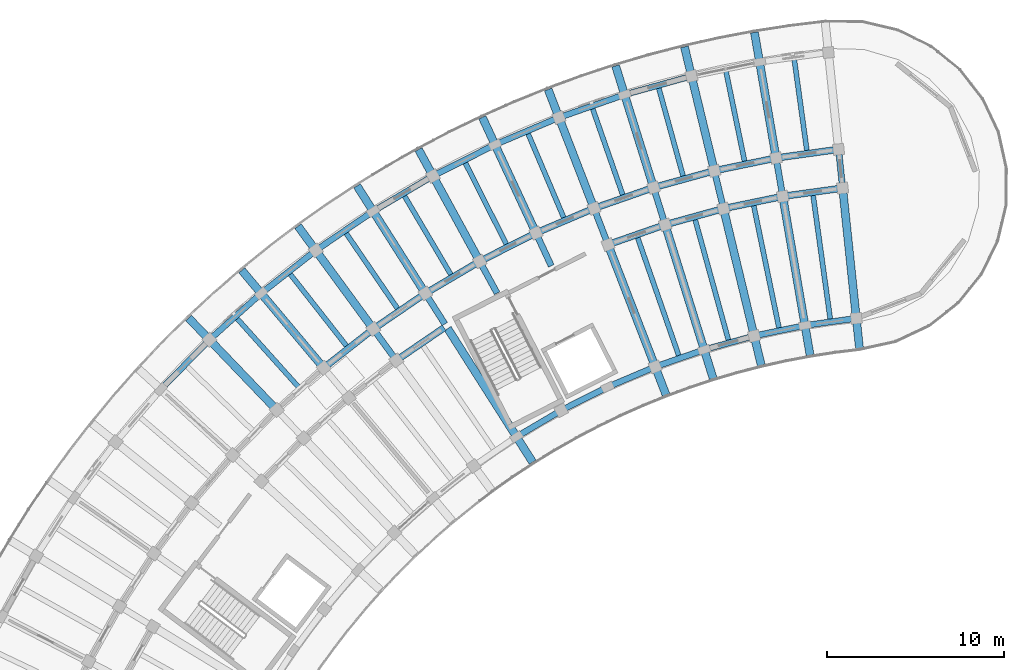
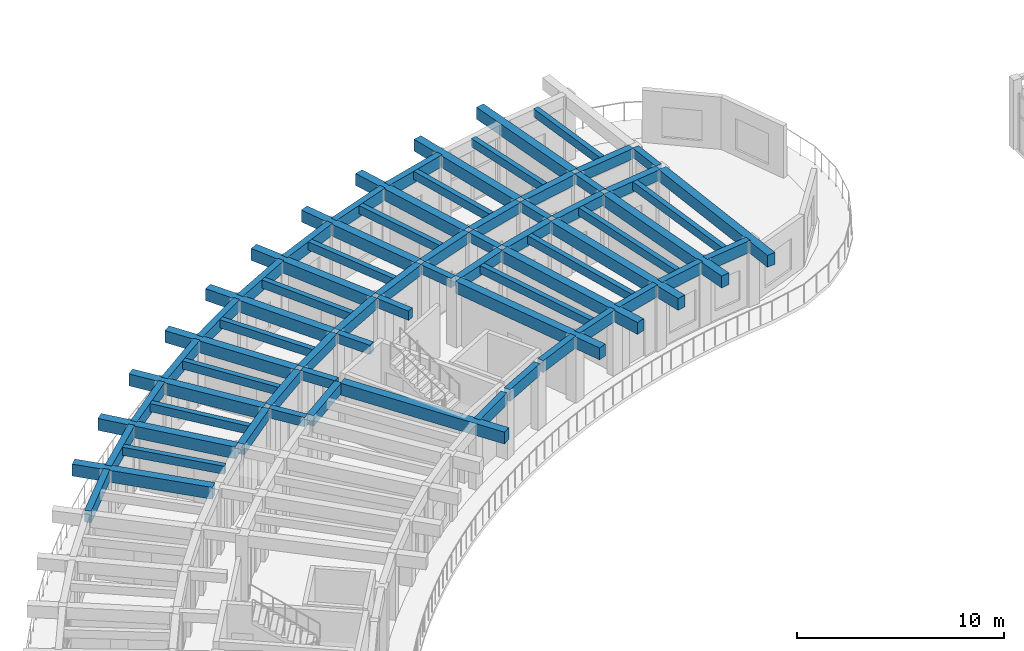
# One storey, part 41 of 128: 69 beams.
"""IFC4 building model written with IfcOpenShell, lengths in metres."""

from ifc_helpers import new_model, si_unit, direction, frame, origin, origin_2d, place, context, subcontext, project, spatial, rectangle, extrude, material, material_profile, profile_set, type_object, element, save


model = new_model("IFC4")

# Units and contexts
model_context = context("Model", 3, precision=1e-05, world=origin(), true_north=direction((0.0, 1.0)))
body_context = subcontext(model_context, "Body", "Model", "MODEL_VIEW")
ifc_project = project(units=[si_unit("LENGTHUNIT", "METRE"), si_unit("AREAUNIT", "SQUARE_METRE"), si_unit("VOLUMEUNIT", "CUBIC_METRE"), si_unit("PLANEANGLEUNIT", "RADIAN"), si_unit("MASSUNIT", "GRAM", prefix="KILO")], contexts=[model_context])

# Site, building, storey
site_placement = place(None, origin())
site = spatial("IfcSite", under=ifc_project, at=site_placement, CompositionType="ELEMENT")
building_placement = place(site_placement, origin())
building = spatial("IfcBuilding", under=site, at=building_placement, Name="Tanwirah Colonnade Gardens", CompositionType="ELEMENT")
storey_placement = place(building_placement, frame((0.0, 0.0, 4.760009765625)))
storey = spatial("IfcBuildingStorey", under=building, at=storey_placement, Name="L01", CompositionType="ELEMENT", Elevation=4.760009765625)

# Beams
ifc_material_1 = material(Name="Precast concrete C40/50", Category="concrete")
ifc_material_profile_1 = material_profile(ifc_material_1, rectangle(XDim=0.35009765625, YDim=0.550048828125, at=origin_2d()), Name="PC-BM 350x550")
ifc_profile_set_1 = profile_set([ifc_material_profile_1], Name="Precast concrete C40/50")
beam_type_1 = type_object("IfcBeamType", Name="BM-PC350A", PredefinedType="BEAM", material=ifc_profile_set_1)
for number, where, z_axis, x_axis, name in (
    (1, (59.564453125, 111.9150390625, 3.550048828125), (-0.104464057197, 0.994528662611, 0.0), (-0.994528662611, -0.104464057197, 0.0), "Block A L01 Corridor Tie Beam 0"),
    (2, (56.1689453125, 111.444580078125, 3.550048828125), (-0.169855285462, 0.985469016256, 0.0), (-0.985469016256, -0.169855285462, 0.0), "Block A L01 Corridor Tie Beam 1"),
    (3, (52.811767578125, 110.75146484375, 3.550048828125), (-0.234364199778, 0.972148868159, 0.0), (-0.972148868159, -0.234364199778, 0.0), "Block A L01 Corridor Tie Beam 2"),
):
    element("IfcBeam", number, at=place(storey_placement, frame(where, z_axis=z_axis, x_axis=x_axis)), inside=storey, type_object=beam_type_1, Name=name, PredefinedType="BEAM", context=body_context, shape_type="SweptSolid", body=[
        extrude(rectangle(XDim=0.35009765625, YDim=0.550048828125, at=origin_2d()), origin(), (0.0, 0.0, 1.0), 1.900146484375),
    ])
for number, where, z_axis, x_axis, name in (
    (4, (49.507568359375, 109.838623046875, 3.550048828125), (-0.297857918398, 0.954610213882, 0.0), (-0.954610213882, -0.297857918398, 0.0), "Block A L01 Corridor Tie Beam 3"),
    (5, (46.270751953125, 108.7099609375, 3.550048828125), (-0.360175656082, 0.932884503444, 0.0), (-0.932884503444, -0.360175656082, 0.0), "Block A L01 Corridor Tie Beam 4"),
    (6, (43.115234375, 107.37060546875, 3.550048828125), (-0.420858322681, 0.90712638162, 0.0), (-0.90712638162, -0.420858322681, 0.0), "Block A L01 Corridor Tie Beam 5"),
    (7, (40.054931640625, 105.826171875, 3.550048828125), (-0.479707235792, 0.877428611301, 0.0), (-0.877428611301, -0.479707235792, 0.0), "Block A L01 Corridor Tie Beam 6"),
    (8, (37.10302734375, 104.08349609375, 3.550048828125), (-0.536509579595, 0.843894229749, 0.0), (-0.843894229749, -0.536509579595, 0.0), "Block A L01 Corridor Tie Beam 7"),
):
    element("IfcBeam", number, at=place(storey_placement, frame(where, z_axis=z_axis, x_axis=x_axis)), inside=storey, type_object=beam_type_1, Name=name, PredefinedType="BEAM", context=body_context, shape_type="SweptSolid", body=[
        extrude(rectangle(XDim=0.35009765625, YDim=0.550048828125, at=origin_2d()), origin(), (0.0, 0.0, 1.0), 1.89990234375),
    ])
beam_1_placement = place(storey_placement, frame((34.272216796875, 102.14990234375, 3.550048828125), z_axis=(-0.590895676149, 0.806747977939, 0.0), x_axis=(-0.806747977939, -0.590895676149, 0.0)))
element("IfcBeam", 9, at=beam_1_placement, inside=storey, type_object=beam_type_1, Name="Block A L01 Corridor Tie Beam 8", PredefinedType="BEAM", context=body_context, shape_type="SweptSolid", body=[
    extrude(rectangle(XDim=0.35009765625, YDim=0.550048828125, at=origin_2d()), origin(), (0.0, 0.0, 1.0), 1.900146484375),
])
ifc_material_profile_2 = material_profile(ifc_material_1, rectangle(XDim=0.3798828125, YDim=0.6201171875, at=origin_2d()), Name="PC-BM 380x620")
ifc_profile_set_2 = profile_set([ifc_material_profile_2], Name="Precast concrete C40/50")
beam_type_2 = type_object("IfcBeamType", Name="BM-PC380", PredefinedType="BEAM", material=ifc_profile_set_2)
beam_2_placement = place(storey_placement, frame((59.431640625, 111.745361328125, 3.514892578125), z_axis=(-0.990535787723, -0.137254702069, 0.0), x_axis=(0.137254702069, -0.990535787723, 0.0)))
element("IfcBeam", 10, at=beam_2_placement, inside=storey, type_object=beam_type_2, Name="Block A L01 Circumferential Beam 0-R1", PredefinedType="BEAM", context=body_context, shape_type="SweptSolid", body=[
    extrude(rectangle(XDim=0.3798828125, YDim=0.6201171875, at=origin_2d()), origin(), (0.0, 0.0, 1.0), 3.1181640625),
])
beam_3_placement = place(storey_placement, frame((59.20166015625, 113.933349609375, 3.514892578125), z_axis=(-0.990530465749, -0.13729310406, 0.0), x_axis=(0.13729310406, -0.990530465749, 0.0)))
element("IfcBeam", 11, at=beam_3_placement, inside=storey, type_object=beam_type_2, Name="Block A L01 Circumferential Beam 0-R2", PredefinedType="BEAM", context=body_context, shape_type="SweptSolid", body=[
    extrude(rectangle(XDim=0.3798828125, YDim=0.6201171875, at=origin_2d()), origin(), (0.0, 0.0, 1.0), 3.26318359375),
])
beam_4_placement = place(storey_placement, frame((56.047607421875, 111.2666015625, 3.514892578125), z_axis=(-0.979335880607, -0.202240532428, 0.0), x_axis=(0.202240532428, -0.979335880607, 0.0)))
element("IfcBeam", 12, at=beam_4_placement, inside=storey, type_object=beam_type_2, Name="Block A L01 Circumferential Beam 1-R1", PredefinedType="BEAM", context=body_context, shape_type="SweptSolid", body=[
    extrude(rectangle(XDim=0.3798828125, YDim=0.6201171875, at=origin_2d()), origin(), (0.0, 0.0, 1.0), 3.1181640625),
])
beam_5_placement = place(storey_placement, frame((55.673828125, 113.4345703125, 3.514892578125), z_axis=(-0.979335599813, -0.202241892146, 0.0), x_axis=(0.202241892146, -0.979335599813, 0.0)))
element("IfcBeam", 13, at=beam_5_placement, inside=storey, type_object=beam_type_2, Name="Block A L01 Circumferential Beam 1-R2", PredefinedType="BEAM", context=body_context, shape_type="SweptSolid", body=[
    extrude(rectangle(XDim=0.3798828125, YDim=0.6201171875, at=origin_2d()), origin(), (0.0, 0.0, 1.0), 3.262939453125),
])
beam_6_placement = place(storey_placement, frame((52.702392578125, 110.565673828125, 3.514892578125), z_axis=(-0.963894965188, -0.266282737114, 0.0), x_axis=(0.266282737114, -0.963894965188, 0.0)))
element("IfcBeam", 14, at=beam_6_placement, inside=storey, type_object=beam_type_2, Name="Block A L01 Circumferential Beam 2-R1", PredefinedType="BEAM", context=body_context, shape_type="SweptSolid", body=[
    extrude(rectangle(XDim=0.3798828125, YDim=0.6201171875, at=origin_2d()), origin(), (0.0, 0.0, 1.0), 3.1181640625),
])
beam_7_placement = place(storey_placement, frame((52.186767578125, 112.704345703125, 3.514892578125), z_axis=(-0.9638953302, -0.266281415833, 0.0), x_axis=(0.266281415833, -0.9638953302, 0.0)))
element("IfcBeam", 15, at=beam_7_placement, inside=storey, type_object=beam_type_2, Name="Block A L01 Circumferential Beam 2-R2", PredefinedType="BEAM", context=body_context, shape_type="SweptSolid", body=[
    extrude(rectangle(XDim=0.3798828125, YDim=0.6201171875, at=origin_2d()), origin(), (0.0, 0.0, 1.0), 3.26318359375),
])
beam_8_placement = place(storey_placement, frame((49.41064453125, 109.64599609375, 3.514892578125), z_axis=(-0.944248304077, -0.329234172358, 0.0), x_axis=(0.329234172358, -0.944248304077, 0.0)))
element("IfcBeam", 16, at=beam_8_placement, inside=storey, type_object=beam_type_2, Name="Block A L01 Circumferential Beam 3-R1", PredefinedType="BEAM", context=body_context, shape_type="SweptSolid", body=[
    extrude(rectangle(XDim=0.3798828125, YDim=0.6201171875, at=origin_2d()), origin(), (0.0, 0.0, 1.0), 3.1181640625),
])
for number, where, z_axis, x_axis, name in (
    (17, (48.755126953125, 111.74609375, 3.514892578125), (-0.944231021702, -0.329283734272, 0.0), (0.329283734272, -0.944231021702, 0.0), "Block A L01 Circumferential Beam 3-R2"),
    (18, (45.394287109375, 110.563720703125, 3.514892578125), (-0.920513294115, -0.390711242938, 0.0), (0.390711242938, -0.920513294115, 0.0), "Block A L01 Circumferential Beam 4-R2"),
):
    element("IfcBeam", number, at=place(storey_placement, frame(where, z_axis=z_axis, x_axis=x_axis)), inside=storey, type_object=beam_type_2, Name=name, PredefinedType="BEAM", context=body_context, shape_type="SweptSolid", body=[
        extrude(rectangle(XDim=0.3798828125, YDim=0.6201171875, at=origin_2d()), origin(), (0.0, 0.0, 1.0), 3.262939453125),
    ])
for number, where, z_axis, x_axis, name in (
    (19, (42.11865234375, 109.16259765625, 3.514892578125), (-0.89276014323, -0.450532270387, 0.0), (0.450532270387, -0.89276014323, 0.0), "Block A L01 Circumferential Beam 5-R2"),
    (20, (38.9423828125, 107.548583984375, 3.514892578125), (-0.861134978964, -0.508376384193, 0.0), (0.508376384193, -0.861134978964, 0.0), "Block A L01 Circumferential Beam 6-R2"),
):
    element("IfcBeam", number, at=place(storey_placement, frame(where, z_axis=z_axis, x_axis=x_axis)), inside=storey, type_object=beam_type_2, Name=name, PredefinedType="BEAM", context=body_context, shape_type="SweptSolid", body=[
        extrude(rectangle(XDim=0.3798828125, YDim=0.6201171875, at=origin_2d()), origin(), (0.0, 0.0, 1.0), 3.26318359375),
    ])
beam_9_placement = place(storey_placement, frame((37.0595703125, 103.872314453125, 3.514892578125), z_axis=(-0.825758291455, -0.564024152047, 0.0), x_axis=(0.564024152047, -0.825758291455, 0.0)))
element("IfcBeam", 21, at=beam_9_placement, inside=storey, type_object=beam_type_2, Name="Block A L01 Circumferential Beam 7-R1", PredefinedType="BEAM", context=body_context, shape_type="SweptSolid", body=[
    extrude(rectangle(XDim=0.3798828125, YDim=0.6201171875, at=origin_2d()), origin(), (0.0, 0.0, 1.0), 3.118408203125),
])
for number, where, z_axis, x_axis, name in (
    (22, (35.87939453125, 105.728759765625, 3.514892578125), (-0.825782284145, -0.563989024, 0.0), (0.563989024, -0.825782284145, 0.0), "Block A L01 Circumferential Beam 7-R2"),
    (23, (32.94287109375, 103.711181640625, 3.514892578125), (-0.786839882256, -0.617157192044, 0.0), (0.617157192044, -0.786839882256, 0.0), "Block A L01 Circumferential Beam 8-R2"),
):
    element("IfcBeam", number, at=place(storey_placement, frame(where, z_axis=z_axis, x_axis=x_axis)), inside=storey, type_object=beam_type_2, Name=name, PredefinedType="BEAM", context=body_context, shape_type="SweptSolid", body=[
        extrude(rectangle(XDim=0.3798828125, YDim=0.6201171875, at=origin_2d()), origin(), (0.0, 0.0, 1.0), 3.26318359375),
    ])
ifc_material_2 = material(Name="Precast concrete C45/55", Category="concrete")
ifc_material_profile_3 = material_profile(ifc_material_2, rectangle(XDim=0.449951171875, YDim=0.699951171875, at=origin_2d()), Name="PC-BM 450x700")
ifc_profile_set_3 = profile_set([ifc_material_profile_3], Name="Precast concrete C45/55")
beam_type_3 = type_object("IfcBeamType", Name="BM-PC450", PredefinedType="BEAM", material=ifc_profile_set_3)
for number, where, z_axis, x_axis, name in (
    (24, (59.595947265625, 111.61669921875, 3.47509765625), (0.104531425475, -0.994521584023, 0.0), (0.994521584023, 0.104531425475, 0.0), "Block A L01 Inner Radial Precast Girder 0"),
    (25, (56.219970703125, 111.14892578125, 3.47509765625), (0.169837490725, -0.985472083189, 0.0), (0.985472083189, 0.169837490725, 0.0), "Block A L01 Inner Radial Precast Girder 1"),
):
    element("IfcBeam", number, at=place(storey_placement, frame(where, z_axis=z_axis, x_axis=x_axis)), inside=storey, type_object=beam_type_3, Name=name, PredefinedType="BEAM", context=body_context, shape_type="SweptSolid", body=[
        extrude(rectangle(XDim=0.449951171875, YDim=0.699951171875, at=origin_2d()), origin(), (0.0, 0.0, 1.0), 8.949951171875),
    ])
beam_10_placement = place(storey_placement, frame((55.79541015625, 113.61279296875, 3.47509765625), z_axis=(-0.169826898404, 0.985473908624, 0.0), x_axis=(-0.985473908624, -0.169826898404, 0.0)))
element("IfcBeam", 26, at=beam_10_placement, inside=storey, type_object=beam_type_3, Name="Block A L01 Outer Radial Precast Girder 1", PredefinedType="BEAM", context=body_context, shape_type="SweptSolid", body=[
    extrude(rectangle(XDim=0.449951171875, YDim=0.699951171875, at=origin_2d()), origin(), (0.0, 0.0, 1.0), 7.0498046875),
])
beam_11_placement = place(storey_placement, frame((52.882080078125, 110.459716796875, 3.47509765625), z_axis=(0.234401428133, -0.972139892448, 0.0), x_axis=(0.972139892448, 0.234401428133, 0.0)))
element("IfcBeam", 27, at=beam_11_placement, inside=storey, type_object=beam_type_3, Name="Block A L01 Inner Radial Precast Girder 2", PredefinedType="BEAM", context=body_context, shape_type="SweptSolid", body=[
    extrude(rectangle(XDim=0.449951171875, YDim=0.699951171875, at=origin_2d()), origin(), (0.0, 0.0, 1.0), 8.949951171875),
])
beam_12_placement = place(storey_placement, frame((52.296142578125, 112.89013671875, 3.47509765625), z_axis=(-0.234378734126, 0.972145364125, 0.0), x_axis=(-0.972145364125, -0.234378734126, 0.0)))
element("IfcBeam", 28, at=beam_12_placement, inside=storey, type_object=beam_type_3, Name="Block A L01 Outer Radial Precast Girder 2", PredefinedType="BEAM", context=body_context, shape_type="SweptSolid", body=[
    extrude(rectangle(XDim=0.449951171875, YDim=0.699951171875, at=origin_2d()), origin(), (0.0, 0.0, 1.0), 7.0498046875),
])
beam_13_placement = place(storey_placement, frame((49.596923828125, 109.55224609375, 3.47509765625), z_axis=(0.29792861283, -0.9545881529, 0.0), x_axis=(0.9545881529, 0.29792861283, 0.0)))
element("IfcBeam", 29, at=beam_13_placement, inside=storey, type_object=beam_type_3, Name="Block A L01 Inner Radial Precast Girder 3", PredefinedType="BEAM", context=body_context, shape_type="SweptSolid", body=[
    extrude(rectangle(XDim=0.449951171875, YDim=0.699951171875, at=origin_2d()), origin(), (0.0, 0.0, 1.0), 8.9501953125),
])
beam_14_placement = place(storey_placement, frame((48.852294921875, 111.938720703125, 3.47509765625), z_axis=(-0.297957513373, 0.954579132511, 0.0), x_axis=(-0.954579132511, -0.297957513373, 0.0)))
element("IfcBeam", 30, at=beam_14_placement, inside=storey, type_object=beam_type_3, Name="Block A L01 Outer Radial Precast Girder 3", PredefinedType="BEAM", context=body_context, shape_type="SweptSolid", body=[
    extrude(rectangle(XDim=0.449951171875, YDim=0.699951171875, at=origin_2d()), origin(), (0.0, 0.0, 1.0), 7.050048828125),
])
beam_15_placement = place(storey_placement, frame((46.37890625, 108.43017578125, 3.47509765625), z_axis=(0.360155980892, -0.932892099563, 0.0), x_axis=(0.932892099563, 0.360155980892, 0.0)))
element("IfcBeam", 31, at=beam_15_placement, inside=storey, type_object=beam_type_3, Name="Block A L01 Inner Radial Precast Girder 4", PredefinedType="BEAM", context=body_context, shape_type="SweptSolid", body=[
    extrude(rectangle(XDim=0.449951171875, YDim=0.699951171875, at=origin_2d()), origin(), (0.0, 0.0, 1.0), 8.949951171875),
])
for number, where, z_axis, x_axis, name in (
    (32, (45.478271484375, 110.76220703125, 3.47509765625), (-0.360150678391, 0.932894146651, 0.0), (-0.932894146651, -0.360150678391, 0.0), "Block A L01 Outer Radial Precast Girder 4"),
    (33, (42.189453125, 109.3662109375, 3.47509765625), (-0.420855908645, 0.9071275016, 0.0), (-0.9071275016, -0.420855908645, 0.0), "Block A L01 Outer Radial Precast Girder 5"),
    (34, (38.99951171875, 107.75634765625, 3.47509765625), (-0.479686549155, 0.877439920769, 0.0), (-0.877439920769, -0.479686549155, 0.0), "Block A L01 Outer Radial Precast Girder 6"),
):
    element("IfcBeam", number, at=place(storey_placement, frame(where, z_axis=z_axis, x_axis=x_axis)), inside=storey, type_object=beam_type_3, Name=name, PredefinedType="BEAM", context=body_context, shape_type="SweptSolid", body=[
        extrude(rectangle(XDim=0.449951171875, YDim=0.699951171875, at=origin_2d()), origin(), (0.0, 0.0, 1.0), 7.050048828125),
    ])
beam_16_placement = place(storey_placement, frame((37.263916015625, 103.830322265625, 3.47509765625), z_axis=(0.536483588607, -0.843910753075, 0.0), x_axis=(0.843910753075, 0.536483588607, 0.0)))
element("IfcBeam", 35, at=beam_16_placement, inside=storey, type_object=beam_type_3, Name="Block A L01 Inner Radial Precast Girder 7", PredefinedType="BEAM", context=body_context, shape_type="SweptSolid", body=[
    extrude(rectangle(XDim=0.449951171875, YDim=0.699951171875, at=origin_2d()), origin(), (0.0, 0.0, 1.0), 8.949951171875),
])
for number, where, z_axis, x_axis, name in (
    (36, (35.922607421875, 105.93994140625, 3.47509765625), (-0.536476584537, 0.8439152056, 0.0), (-0.8439152056, -0.536476584537, 0.0), "Block A L01 Outer Radial Precast Girder 7"),
    (37, (32.97216796875, 103.9248046875, 3.47509765625), (-0.590919194225, 0.806730751798, 0.0), (-0.806730751798, -0.590919194225, 0.0), "Block A L01 Outer Radial Precast Girder 8"),
):
    element("IfcBeam", number, at=place(storey_placement, frame(where, z_axis=z_axis, x_axis=x_axis)), inside=storey, type_object=beam_type_3, Name=name, PredefinedType="BEAM", context=body_context, shape_type="SweptSolid", body=[
        extrude(rectangle(XDim=0.449951171875, YDim=0.699951171875, at=origin_2d()), origin(), (0.0, 0.0, 1.0), 7.050048828125),
    ])
beam_17_placement = place(storey_placement, frame((30.160888671875, 101.7197265625, 3.47509765625), z_axis=(-0.642810291951, 0.766025409867, 0.0), x_axis=(-0.766025409867, -0.642810291951, 0.0)))
element("IfcBeam", 38, at=beam_17_placement, inside=storey, type_object=beam_type_3, Name="Block A L01 Outer Radial Precast Girder 9", PredefinedType="BEAM", context=body_context, shape_type="SweptSolid", body=[
    extrude(rectangle(XDim=0.449951171875, YDim=0.699951171875, at=origin_2d()), origin(), (0.0, 0.0, 1.0), 7.0498046875),
])
beam_18_placement = place(storey_placement, frame((27.5009765625, 99.333984375, 3.47509765625), z_axis=(-0.691864746793, 0.722027127015, 0.0), x_axis=(-0.722027127015, -0.691864746793, 0.0)))
element("IfcBeam", 39, at=beam_18_placement, inside=storey, type_object=beam_type_3, Name="Block A L01 Outer Radial Precast Girder 10", PredefinedType="BEAM", context=body_context, shape_type="SweptSolid", body=[
    extrude(rectangle(XDim=0.449951171875, YDim=0.699951171875, at=origin_2d()), origin(), (0.0, 0.0, 1.0), 7.050048828125),
])
ifc_material_profile_4 = material_profile(ifc_material_1, rectangle(XDim=0.280029296875, YDim=0.47998046875, at=origin_2d()), Name="PC-JST 280x480")
ifc_profile_set_4 = profile_set([ifc_material_profile_4], Name="Precast concrete C40/50")
beam_type_4 = type_object("IfcBeamType", Name="JST-PC280", PredefinedType="JOIST", material=ifc_profile_set_4)
beam_19_placement = place(storey_placement, frame((57.56494140625, 113.857421875, 3.5849609375), z_axis=(-0.137248344923, 0.990536668587, 0.0), x_axis=(-0.990536668587, -0.137248344923, 0.0)))
element("IfcBeam", 40, at=beam_19_placement, inside=storey, type_object=beam_type_4, Name="Block A L01 Precast Floor Joist 0", PredefinedType="JOIST", context=body_context, shape_type="SweptSolid", body=[
    extrude(rectangle(XDim=0.280029296875, YDim=0.47998046875, at=origin_2d()), origin(), (0.0, 0.0, 1.0), 5.260009765625),
])
beam_20_placement = place(storey_placement, frame((58.882568359375, 104.34814453125, 3.5849609375), z_axis=(-0.137243132462, 0.99053739081, 0.0), x_axis=(-0.99053739081, -0.137243132462, 0.0)))
element("IfcBeam", 41, at=beam_20_placement, inside=storey, type_object=beam_type_4, Name="Block A L01 Inner Precast Floor Joist 0", PredefinedType="JOIST", context=body_context, shape_type="SweptSolid", body=[
    extrude(rectangle(XDim=0.280029296875, YDim=0.47998046875, at=origin_2d()), origin(), (0.0, 0.0, 1.0), 7.16015625),
])
beam_21_placement = place(storey_placement, frame((54.0458984375, 113.2509765625, 3.5849609375), z_axis=(-0.202235688429, 0.979336880918, 0.0), x_axis=(-0.979336880918, -0.202235688429, 0.0)))
element("IfcBeam", 42, at=beam_21_placement, inside=storey, type_object=beam_type_4, Name="Block A L01 Precast Floor Joist 1", PredefinedType="JOIST", context=body_context, shape_type="SweptSolid", body=[
    extrude(rectangle(XDim=0.280029296875, YDim=0.47998046875, at=origin_2d()), origin(), (0.0, 0.0, 1.0), 5.259765625),
])
beam_22_placement = place(storey_placement, frame((55.987060546875, 103.84912109375, 3.5849609375), z_axis=(-0.202197428816, 0.979344780851, 0.0), x_axis=(-0.979344780851, -0.202197428816, 0.0)))
element("IfcBeam", 43, at=beam_22_placement, inside=storey, type_object=beam_type_4, Name="Block A L01 Inner Precast Floor Joist 1", PredefinedType="JOIST", context=body_context, shape_type="SweptSolid", body=[
    extrude(rectangle(XDim=0.280029296875, YDim=0.47998046875, at=origin_2d()), origin(), (0.0, 0.0, 1.0), 7.16015625),
])
beam_23_placement = place(storey_placement, frame((50.57421875, 112.413818359375, 3.5849609375), z_axis=(-0.266281476085, 0.963895313555, 0.0), x_axis=(-0.963895313555, -0.266281476085, 0.0)))
element("IfcBeam", 44, at=beam_23_placement, inside=storey, type_object=beam_type_4, Name="Block A L01 Precast Floor Joist 2", PredefinedType="JOIST", context=body_context, shape_type="SweptSolid", body=[
    extrude(rectangle(XDim=0.280029296875, YDim=0.47998046875, at=origin_2d()), origin(), (0.0, 0.0, 1.0), 5.260009765625),
])
beam_24_placement = place(storey_placement, frame((53.130859375, 103.16064453125, 3.5849609375), z_axis=(-0.266307034535, 0.963888252526, 0.0), x_axis=(-0.963888252526, -0.266307034535, 0.0)))
element("IfcBeam", 45, at=beam_24_placement, inside=storey, type_object=beam_type_4, Name="Block A L01 Inner Precast Floor Joist 2", PredefinedType="JOIST", context=body_context, shape_type="SweptSolid", body=[
    extrude(rectangle(XDim=0.280029296875, YDim=0.47998046875, at=origin_2d()), origin(), (0.0, 0.0, 1.0), 7.159912109375),
])
beam_25_placement = place(storey_placement, frame((47.16552734375, 111.349853515625, 3.5849609375), z_axis=(-0.3292586038, 0.944239785131, 0.0), x_axis=(-0.944239785131, -0.3292586038, 0.0)))
element("IfcBeam", 46, at=beam_25_placement, inside=storey, type_object=beam_type_4, Name="Block A L01 Precast Floor Joist 3", PredefinedType="JOIST", context=body_context, shape_type="SweptSolid", body=[
    extrude(rectangle(XDim=0.280029296875, YDim=0.47998046875, at=origin_2d()), origin(), (0.0, 0.0, 1.0), 5.260009765625),
])
beam_26_placement = place(storey_placement, frame((50.326171875, 102.28515625, 3.5849609375), z_axis=(-0.329250558112, 0.944242590642, 0.0), x_axis=(-0.944242590642, -0.329250558112, 0.0)))
element("IfcBeam", 47, at=beam_26_placement, inside=storey, type_object=beam_type_4, Name="Block A L01 Inner Precast Floor Joist 3", PredefinedType="JOIST", context=body_context, shape_type="SweptSolid", body=[
    extrude(rectangle(XDim=0.280029296875, YDim=0.47998046875, at=origin_2d()), origin(), (0.0, 0.0, 1.0), 7.159912109375),
])
beam_27_placement = place(storey_placement, frame((43.833984375, 110.063720703125, 3.5849609375), z_axis=(-0.390723870106, 0.92050793442, 0.0), x_axis=(-0.92050793442, -0.390723870106, 0.0)))
element("IfcBeam", 48, at=beam_27_placement, inside=storey, type_object=beam_type_4, Name="Block A L01 Precast Floor Joist 4", PredefinedType="JOIST", context=body_context, shape_type="SweptSolid", body=[
    extrude(rectangle(XDim=0.280029296875, YDim=0.47998046875, at=origin_2d()), origin(), (0.0, 0.0, 1.0), 5.260009765625),
])
for number, where, z_axis, x_axis, name in (
    (49, (40.5947265625, 108.560791015625, 3.5849609375), (-0.450533699488, 0.892759422031, 0.0), (-0.892759422031, -0.450533699488, 0.0), "Block A L01 Precast Floor Joist 5"),
    (50, (37.46142578125, 106.84765625, 3.5849609375), (-0.508360236823, 0.86114451146, 0.0), (-0.86114451146, -0.508360236823, 0.0), "Block A L01 Precast Floor Joist 6"),
):
    element("IfcBeam", number, at=place(storey_placement, frame(where, z_axis=z_axis, x_axis=x_axis)), inside=storey, type_object=beam_type_4, Name=name, PredefinedType="JOIST", context=body_context, shape_type="SweptSolid", body=[
        extrude(rectangle(XDim=0.280029296875, YDim=0.47998046875, at=origin_2d()), origin(), (0.0, 0.0, 1.0), 5.26025390625),
    ])
for number, where, z_axis, x_axis, name in (
    (51, (34.44775390625, 104.931884765625, 3.5849609375), (-0.563973225998, 0.825793073571, 0.0), (-0.825793073571, -0.563973225998, 0.0), "Block A L01 Precast Floor Joist 7"),
    (52, (31.56689453125, 102.82177734375, 3.5849609375), (-0.617177687243, 0.786823806433, 0.0), (-0.786823806433, -0.617177687243, 0.0), "Block A L01 Precast Floor Joist 8"),
    (53, (28.831298828125, 100.5263671875, 3.5849609375), (-0.667678987176, 0.744449306591, 0.0), (-0.744449306591, -0.667678987176, 0.0), "Block A L01 Precast Floor Joist 9"),
):
    element("IfcBeam", number, at=place(storey_placement, frame(where, z_axis=z_axis, x_axis=x_axis)), inside=storey, type_object=beam_type_4, Name=name, PredefinedType="JOIST", context=body_context, shape_type="SweptSolid", body=[
        extrude(rectangle(XDim=0.280029296875, YDim=0.47998046875, at=origin_2d()), origin(), (0.0, 0.0, 1.0), 5.260009765625),
    ])
ifc_material_profile_5 = material_profile(ifc_material_2, rectangle(XDim=0.340087890625, YDim=0.699951171875, at=origin_2d()), Name="PC-SP 340x700")
ifc_profile_set_5 = profile_set([ifc_material_profile_5], Name="Precast concrete C45/55")
beam_type_5 = type_object("IfcBeamType", Name="SP-PC340", PredefinedType="SPANDREL", material=ifc_profile_set_5)
for number, where, z_axis, x_axis, name in (
    (54, (60.205078125, 104.385986328125, 3.47509765625), (-0.990531232354, -0.13728757311, 0.0), (0.13728757311, -0.990531232354, 0.0), "Block A L01 Circumferential Beam 0-R0"),
    (55, (57.30419921875, 103.973876953125, 3.47509765625), (-0.979351764611, -0.202163599974, 0.0), (0.202163599974, -0.979351764611, 0.0), "Block A L01 Circumferential Beam 1-R0"),
    (56, (54.436767578125, 103.371826171875, 3.47509765625), (-0.96388669146, -0.266312684688, 0.0), (0.266312684688, -0.96388669146, 0.0), "Block A L01 Circumferential Beam 2-R0"),
):
    element("IfcBeam", number, at=place(storey_placement, frame(where, z_axis=z_axis, x_axis=x_axis)), inside=storey, type_object=beam_type_5, Name=name, PredefinedType="SPANDREL", context=body_context, shape_type="SweptSolid", body=[
        extrude(rectangle(XDim=0.340087890625, YDim=0.699951171875, at=origin_2d()), origin(), (0.0, 0.0, 1.0), 2.630126953125),
    ])
beam_28_placement = place(storey_placement, frame((50.897705078125, 118.05126953125, 3.47509765625), z_axis=(-0.963888380927, -0.266306569792, 0.0), x_axis=(0.266306569792, -0.963888380927, 0.0)))
element("IfcBeam", 57, at=beam_28_placement, inside=storey, type_object=beam_type_5, Name="Block A L01 Circumferential Beam 2-R3", PredefinedType="SPANDREL", context=body_context, shape_type="SweptSolid", body=[
    extrude(rectangle(XDim=0.340087890625, YDim=0.699951171875, at=origin_2d()), origin(), (0.0, 0.0, 1.0), 3.625732421875),
])
beam_29_placement = place(storey_placement, frame((51.615478515625, 102.58203125, 3.47509765625), z_axis=(-0.944249847334, -0.32922974624, 0.0), x_axis=(0.32922974624, -0.944249847334, 0.0)))
element("IfcBeam", 58, at=beam_29_placement, inside=storey, type_object=beam_type_5, Name="Block A L01 Circumferential Beam 3-R0", PredefinedType="SPANDREL", context=body_context, shape_type="SweptSolid", body=[
    extrude(rectangle(XDim=0.340087890625, YDim=0.699951171875, at=origin_2d()), origin(), (0.0, 0.0, 1.0), 2.63037109375),
])
beam_30_placement = place(storey_placement, frame((47.11669921875, 116.996337890625, 3.47509765625), z_axis=(-0.944236700093, -0.329267450863, 0.0), x_axis=(0.329267450863, -0.944236700093, 0.0)))
element("IfcBeam", 59, at=beam_30_placement, inside=storey, type_object=beam_type_5, Name="Block A L01 Circumferential Beam 3-R3", PredefinedType="SPANDREL", context=body_context, shape_type="SweptSolid", body=[
    extrude(rectangle(XDim=0.340087890625, YDim=0.699951171875, at=origin_2d()), origin(), (0.0, 0.0, 1.0), 3.625732421875),
])
beam_31_placement = place(storey_placement, frame((48.85205078125, 101.608154296875, 3.47509765625), z_axis=(-0.920488719784, -0.390769134848, 0.0), x_axis=(0.390769134848, -0.920488719784, 0.0)))
element("IfcBeam", 60, at=beam_31_placement, inside=storey, type_object=beam_type_5, Name="Block A L01 Circumferential Beam 4-R0", PredefinedType="SPANDREL", context=body_context, shape_type="SweptSolid", body=[
    extrude(rectangle(XDim=0.340087890625, YDim=0.699951171875, at=origin_2d()), origin(), (0.0, 0.0, 1.0), 2.63037109375),
])
beam_32_placement = place(storey_placement, frame((43.413330078125, 115.694580078125, 3.47509765625), z_axis=(-0.920494456807, -0.390755620545, 0.0), x_axis=(0.390755620545, -0.920494456807, 0.0)))
element("IfcBeam", 61, at=beam_32_placement, inside=storey, type_object=beam_type_5, Name="Block A L01 Circumferential Beam 4-R3", PredefinedType="SPANDREL", context=body_context, shape_type="SweptSolid", body=[
    extrude(rectangle(XDim=0.340087890625, YDim=0.699951171875, at=origin_2d()), origin(), (0.0, 0.0, 1.0), 3.625732421875),
])
beam_33_placement = place(storey_placement, frame((46.158935546875, 100.4541015625, 3.47509765625), z_axis=(-0.892769015158, -0.450514689632, 0.0), x_axis=(0.450514689632, -0.892769015158, 0.0)))
element("IfcBeam", 62, at=beam_33_placement, inside=storey, type_object=beam_type_5, Name="Block A L01 Circumferential Beam 5-R0", PredefinedType="SPANDREL", context=body_context, shape_type="SweptSolid", body=[
    extrude(rectangle(XDim=0.340087890625, YDim=0.699951171875, at=origin_2d()), origin(), (0.0, 0.0, 1.0), 2.63037109375),
])
beam_34_placement = place(storey_placement, frame((39.803955078125, 114.15185546875, 3.47509765625), z_axis=(-0.892764670911, -0.450523298368, 0.0), x_axis=(0.450523298368, -0.892764670911, 0.0)))
element("IfcBeam", 63, at=beam_34_placement, inside=storey, type_object=beam_type_5, Name="Block A L01 Circumferential Beam 5-R3", PredefinedType="SPANDREL", context=body_context, shape_type="SweptSolid", body=[
    extrude(rectangle(XDim=0.340087890625, YDim=0.699951171875, at=origin_2d()), origin(), (0.0, 0.0, 1.0), 3.6259765625),
])
beam_35_placement = place(storey_placement, frame((43.547607421875, 99.125244140625, 3.47509765625), z_axis=(-0.861148181788, -0.508354019363, 0.0), x_axis=(0.508354019363, -0.861148181788, 0.0)))
element("IfcBeam", 64, at=beam_35_placement, inside=storey, type_object=beam_type_5, Name="Block A L01 Circumferential Beam 6-R0", PredefinedType="SPANDREL", context=body_context, shape_type="SweptSolid", body=[
    extrude(rectangle(XDim=0.340087890625, YDim=0.699951171875, at=origin_2d()), origin(), (0.0, 0.0, 1.0), 2.63037109375),
])
for number, where, z_axis, x_axis, name in (
    (65, (36.303955078125, 112.37451171875, 3.47509765625), (-0.861136912545, -0.5083731089, 0.0), (0.5083731089, -0.861136912545, 0.0), "Block A L01 Circumferential Beam 6-R3"),
    (66, (32.9287109375, 110.370361328125, 3.47509765625), (-0.825782625102, -0.563988524776, 0.0), (0.563988524776, -0.825782625102, 0.0), "Block A L01 Circumferential Beam 7-R3"),
):
    element("IfcBeam", number, at=place(storey_placement, frame(where, z_axis=z_axis, x_axis=x_axis)), inside=storey, type_object=beam_type_5, Name=name, PredefinedType="SPANDREL", context=body_context, shape_type="SweptSolid", body=[
        extrude(rectangle(XDim=0.340087890625, YDim=0.699951171875, at=origin_2d()), origin(), (0.0, 0.0, 1.0), 3.625732421875),
    ])
beam_36_placement = place(storey_placement, frame((29.69287109375, 108.148193359375, 3.47509765625), z_axis=(-0.786843799845, -0.617152197311, 0.0), x_axis=(0.617152197311, -0.786843799845, 0.0)))
element("IfcBeam", 67, at=beam_36_placement, inside=storey, type_object=beam_type_5, Name="Block A L01 Circumferential Beam 8-R3", PredefinedType="SPANDREL", context=body_context, shape_type="SweptSolid", body=[
    extrude(rectangle(XDim=0.340087890625, YDim=0.699951171875, at=origin_2d()), origin(), (0.0, 0.0, 1.0), 3.62548828125),
])
beam_37_placement = place(storey_placement, frame((26.6103515625, 105.7177734375, 3.47509765625), z_axis=(-0.744444790955, -0.667684021989, 0.0), x_axis=(0.667684021989, -0.744444790955, 0.0)))
element("IfcBeam", 68, at=beam_37_placement, inside=storey, type_object=beam_type_5, Name="Block A L01 Circumferential Beam 9-R3", PredefinedType="SPANDREL", context=body_context, shape_type="SweptSolid", body=[
    extrude(rectangle(XDim=0.340087890625, YDim=0.699951171875, at=origin_2d()), origin(), (0.0, 0.0, 1.0), 3.625732421875),
])
beam_38_placement = place(storey_placement, frame((23.69482421875, 103.089599609375, 3.47509765625), z_axis=(-0.698844493997, -0.715273635199, 0.0), x_axis=(0.715273635199, -0.698844493997, 0.0)))
element("IfcBeam", 69, at=beam_38_placement, inside=storey, type_object=beam_type_5, Name="Block A L01 Circumferential Beam 10-R3", PredefinedType="SPANDREL", context=body_context, shape_type="SweptSolid", body=[
    extrude(rectangle(XDim=0.340087890625, YDim=0.699951171875, at=origin_2d()), origin(), (0.0, 0.0, 1.0), 3.6259765625),
])

save(model, "model.ifc")
